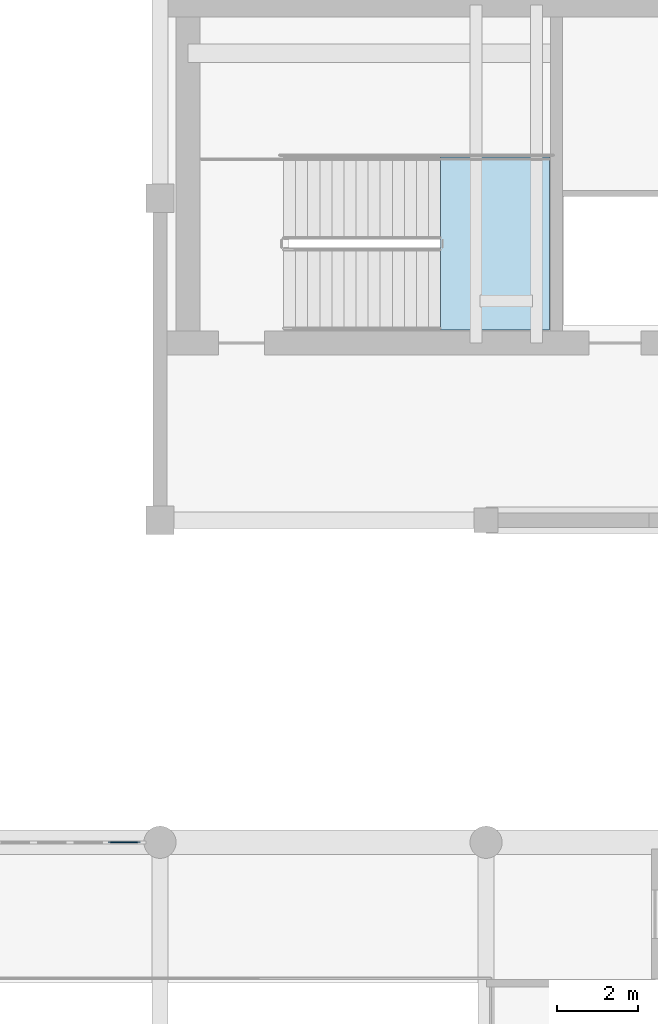
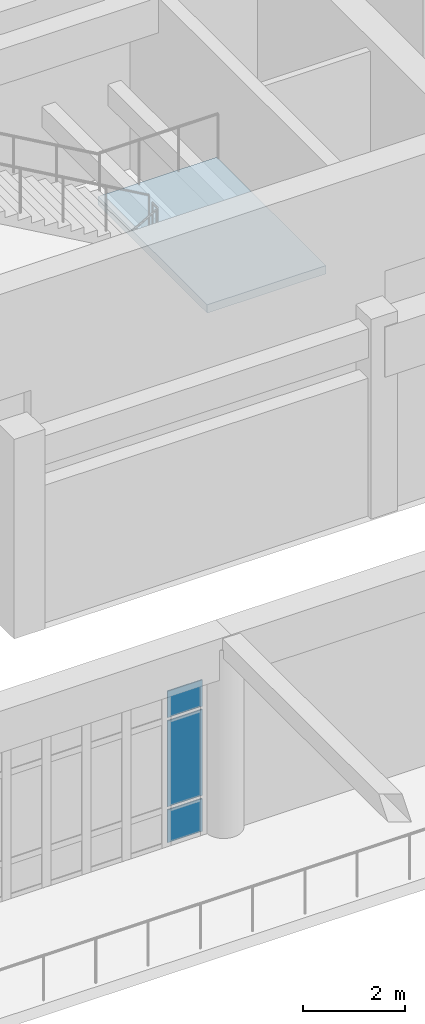
# One storey, part 33 of 61: 3 plates, 1 slab, 2 elements without a shape of their own.
"""IFC4 building model written with IfcOpenShell, lengths in metres."""

from ifc_helpers import new_model, si_unit, direction, frame, origin, origin_2d, place, context, subcontext, project, spatial, polyline, rectangle, outline, extrude, material, layer, layer_set, type_object, element, aggregate, save


model = new_model("IFC4")

# Units and contexts
model_context = context("Model", 3, precision=1e-05, world=origin(), true_north=direction((0.0, 1.0)))
body_context = subcontext(model_context, "Body", "Model", "MODEL_VIEW")
ifc_project = project(units=[si_unit("LENGTHUNIT", "METRE"), si_unit("AREAUNIT", "SQUARE_METRE"), si_unit("VOLUMEUNIT", "CUBIC_METRE"), si_unit("PLANEANGLEUNIT", "RADIAN"), si_unit("MASSUNIT", "GRAM", prefix="KILO")], contexts=[model_context])

# Site, building, storey
site_placement = place(None, origin())
site = spatial("IfcSite", under=ifc_project, at=site_placement, CompositionType="ELEMENT")
building_placement = place(site_placement, origin())
building = spatial("IfcBuilding", under=site, at=building_placement, Name="Tarnveldt Square Police Headquarters", CompositionType="ELEMENT")
storey_placement = place(building_placement, frame((0.0, 0.0, 5.39990234375)))
storey = spatial("IfcBuildingStorey", under=building, at=storey_placement, Name="L01", CompositionType="ELEMENT", Elevation=5.39990234375)

# Curtain wall, plates
ifc_material_1 = material(Name="Triple-glazed low-e laminated vision glass", Category="glass")
curtain_wall_type = type_object("IfcCurtainWallType", Name="CW-CT-727x379", PredefinedType="USERDEFINED", material=ifc_material_1)
curtain_wall_placement = place(storey_placement, origin())
curtain_wall = element("IfcCurtainWall", 1, at=curtain_wall_placement, inside=storey, type_object=curtain_wall_type, Name="L01 Curtain Wall CW-L01-022", ObjectType="GLAZED CURTAIN WALL", PredefinedType="USERDEFINED")
ifc_layer_1 = layer(ifc_material_1, 0.028076171875)
ifc_layer_set_1 = layer_set([ifc_layer_1], Name="Triple-glazed low-e laminated vision glass")
plate_type = type_object("IfcPlateType", Name="CWP-VIS-28", PredefinedType="CURTAIN_PANEL", material=ifc_layer_set_1)
plate_1_placement = place(storey_placement, frame((104.411865234375, 48.0, 0.074951171875), z_axis=(0.0, 0.0, 1.0), x_axis=(1.0, 0.0, 0.0)))
plate_1 = element("IfcPlate", 2, at=plate_1_placement, type_object=plate_type, Name="CW-CT09 panel 8.1", PredefinedType="CURTAIN_PANEL", context=body_context, shape_type="SweptSolid", body=[
    extrude(rectangle(XDim=0.796142578125, YDim=0.028076171875, at=origin_2d()), origin(), (0.0, 0.0, 1.0), 0.78759765625),
])
plate_2_placement = place(storey_placement, frame((104.411865234375, 48.0, 0.937744140625), z_axis=(0.0, 0.0, 1.0), x_axis=(1.0, 0.0, 0.0)))
plate_2 = element("IfcPlate", 3, at=plate_2_placement, type_object=plate_type, Name="CW-CT09 panel 8.2", PredefinedType="CURTAIN_PANEL", context=body_context, shape_type="SweptSolid", body=[
    extrude(rectangle(XDim=0.796142578125, YDim=0.028076171875, at=origin_2d()), origin(), (0.0, 0.0, 1.0), 2.06689453125),
])
plate_3_placement = place(storey_placement, frame((104.411865234375, 48.0, 3.07958984375), z_axis=(0.0, 0.0, 1.0), x_axis=(1.0, 0.0, 0.0)))
plate_3 = element("IfcPlate", 4, at=plate_3_placement, type_object=plate_type, Name="CW-CT09 panel 8.3", PredefinedType="CURTAIN_PANEL", context=body_context, shape_type="SweptSolid", body=[
    extrude(rectangle(XDim=0.796142578125, YDim=0.028076171875, at=origin_2d()), origin(), (0.0, 0.0, 1.0), 0.637451171875),
])
aggregate(curtain_wall, [plate_1, plate_2, plate_3])

# Stair, slab
ifc_material_2 = material(Name="Concrete 40 MPa", Category="concrete")
stair_type = type_object("IfcStairType", Name="STR-HT-48B", PredefinedType="HALF_TURN_STAIR", material=ifc_material_2)
stair_placement = place(storey_placement, origin())
stair = element("IfcStair", 5, at=stair_placement, inside=storey, type_object=stair_type, Name="L01 Core K4 Exit Stair ST4", PredefinedType="HALF_TURN_STAIR")
ifc_layer_2 = layer(ifc_material_2, 0.179931640625)
ifc_layer_set_2 = layer_set([ifc_layer_2], Name="Concrete 40 MPa")
slab_type = type_object("IfcSlabType", Name="SL-LND-180", PredefinedType="LANDING", material=ifc_layer_set_2)
slab_placement = place(storey_placement, frame((0.0, 0.0, 2.2001953125)))
slab = element("IfcSlab", 6, at=slab_placement, type_object=slab_type, Name="ST4 landing 1", PredefinedType="LANDING", context=body_context, shape_type="SweptSolid", body=[
    extrude(outline(polyline([(112.27001953125, 60.719970703125), (114.969970703125, 60.719970703125), (114.969970703125, 65.02001953125), (112.27001953125, 65.02001953125), (112.27001953125, 60.719970703125)])), origin(), (0.0, 0.0, 1.0), 0.199951171875),
])
aggregate(stair, [slab])

save(model, "model.ifc")
